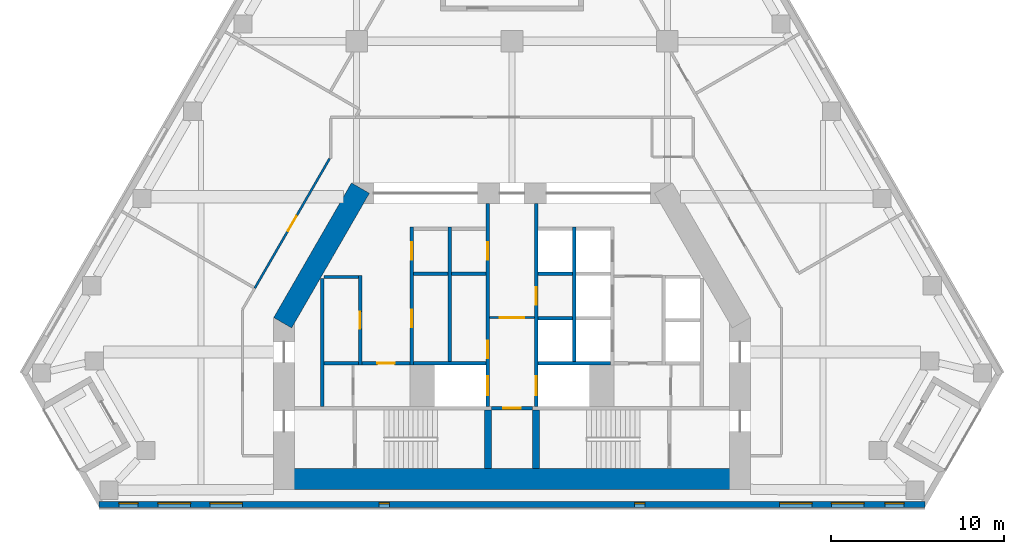
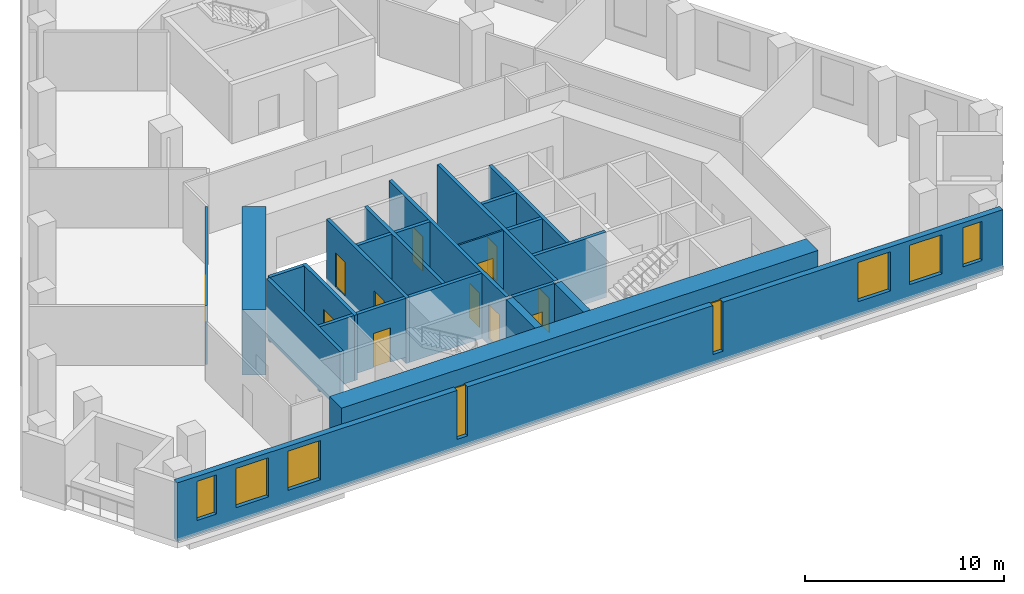
# One storey, part 3 of 7: 24 walls, 12 doors, 8 windows, 20 openings.
"""IFC4 building model written with IfcOpenShell, lengths in metres."""

import ifcopenshell
import ifcopenshell.guid

model = None  # the IFC model being written
_history = None  # IfcOwnerHistory: only IFC2X3 demands one
_inside = {}  # id of a spatial element -> (the spatial element, [elements in it])
_under = {}  # id of a project, library or spatial element -> (it, [spatial elements below it])
_declared = {}  # id of a project -> (the project, [libraries it declares])
_typed = {}  # id of a type object -> (the type object, [elements of that type])
_made_of = {}  # id of a material, layer set ... -> (it, [elements and type objects made of it])


def new_model(schema):
    """Start an empty IFC model of exactly this schema.

    Asked for "IFC4X3", IfcOpenShell would pick the latest addendum, in which some entities
    have other attributes; the version numbers below select the first issue.
    IFC2X3 requires an IfcOwnerHistory on every rooted entity: one is made here for all.
    """
    global model, _history
    if schema == "IFC4X3":
        model = ifcopenshell.file(schema_version=(4, 3, 0, 0))
    else:
        model = ifcopenshell.file(schema=schema)
    _inside.clear()
    _under.clear()
    _declared.clear()
    _typed.clear()
    _made_of.clear()
    _history = None
    if model.schema == "IFC2X3":
        org = make("IfcOrganization", Name="unknown")
        user = make(
            "IfcPersonAndOrganization",
            ThePerson=make("IfcPerson", FamilyName="unknown"),
            TheOrganization=org,
        )
        app = make(
            "IfcApplication",
            ApplicationDeveloper=org,
            Version="unknown",
            ApplicationFullName="unknown",
            ApplicationIdentifier="unknown",
        )
        _history = make(
            "IfcOwnerHistory",
            OwningUser=user,
            OwningApplication=app,
            ChangeAction="ADDED",
            CreationDate=0,
        )
    return model


def make(cls, **values):
    """One entity of the class cls with the attributes given. An attribute that is None is left unset."""
    return model.create_entity(
        cls, **{name: value for name, value in values.items() if value is not None}
    )


def rooted(cls, **values):
    """An entity with a GlobalId (a new one), such as an element, a storey or a relation."""
    return make(cls, GlobalId=ifcopenshell.guid.new(), OwnerHistory=_history, **values)


def si_unit(unit_type, name, prefix=None):
    """IfcSIUnit, for example si_unit("LENGTHUNIT", "METRE", prefix="MILLI")."""
    return make("IfcSIUnit", UnitType=unit_type, Prefix=prefix, Name=name)


def assignment(units):
    """IfcUnitAssignment: the units of a project."""
    return None if units is None else make("IfcUnitAssignment", Units=units)


def point(xyz):
    """IfcCartesianPoint."""
    return None if xyz is None else make("IfcCartesianPoint", Coordinates=xyz)


def direction(xyz):
    """IfcDirection."""
    return None if xyz is None else make("IfcDirection", DirectionRatios=xyz)


def frame(location, z_axis=None, x_axis=None):
    """IfcAxis2Placement3D, a coordinate frame: its origin and axes. An axis left out is left unset."""
    return make(
        "IfcAxis2Placement3D",
        Location=point(location),
        Axis=direction(z_axis),
        RefDirection=direction(x_axis),
    )


def frame_2d(location, x_axis=None):
    """IfcAxis2Placement2D, a coordinate frame in the plane: its origin and x axis."""
    return make(
        "IfcAxis2Placement2D", Location=point(location), RefDirection=direction(x_axis)
    )


def origin():
    """The frame at (0, 0, 0) with its axes left unset."""
    return frame((0.0, 0.0, 0.0))


def place(relative_to, where):
    """IfcLocalPlacement: puts the frame where relative to a parent placement (None: the world)."""
    return make(
        "IfcLocalPlacement", PlacementRelTo=relative_to, RelativePlacement=where
    )


def context(
    kind, dimensions, precision=None, world=None, true_north=None, identifier=None
):
    """IfcGeometricRepresentationContext, for example the 3D "Model" context."""
    return make(
        "IfcGeometricRepresentationContext",
        ContextIdentifier=identifier,
        ContextType=kind,
        CoordinateSpaceDimension=dimensions,
        Precision=precision,
        WorldCoordinateSystem=world,
        TrueNorth=true_north,
    )


def subcontext(parent, identifier, kind, view, scale=None):
    """IfcGeometricRepresentationSubContext, for example "Body" below "Model"."""
    return make(
        "IfcGeometricRepresentationSubContext",
        ContextIdentifier=identifier,
        ContextType=kind,
        ParentContext=parent,
        TargetScale=scale,
        TargetView=view,
    )


def project(units=None, contexts=None):
    """IfcProject with its units and contexts."""
    return rooted(
        "IfcProject",
        Name="project",
        RepresentationContexts=contexts,
        UnitsInContext=assignment(units),
    )


def spatial(cls, under=None, at=None, **own):
    """A site, building, storey or space (cls), placed at a placement, below another one or the project."""
    s = rooted(cls, ObjectPlacement=at, **own)
    if under is not None:
        _under.setdefault(under.id(), (under, []))[1].append(s)
    return s


def profile(cls, at=None, kind="AREA", **sizes):
    """A parametric profile (cls). Its sizes go by their IFC names, for example OverallWidth=200.0."""
    return make(cls, ProfileType=kind, Position=at, **sizes)


def rectangle(**sizes):
    """IfcRectangleProfileDef."""
    return profile("IfcRectangleProfileDef", **sizes)


def extrude(swept, where, along, depth):
    """IfcExtrudedAreaSolid: the profile swept, set in the frame where, extruded along a direction by depth."""
    return make(
        "IfcExtrudedAreaSolid",
        SweptArea=swept,
        Position=where,
        ExtrudedDirection=direction(along),
        Depth=depth,
    )


def shape(context_of_items, identifier, shape_type, items):
    """IfcShapeRepresentation: the items that make up one representation, for example the "Body"."""
    return make(
        "IfcShapeRepresentation",
        ContextOfItems=context_of_items,
        RepresentationIdentifier=identifier,
        RepresentationType=shape_type,
        Items=items,
    )


def material(Name=None, Category=None):
    """IfcMaterial."""
    return make("IfcMaterial", Name=Name, Category=Category)


def layer(
    of_material, thickness, ventilated=None, Name=None, Category=None, Priority=None
):
    """IfcMaterialLayer: one layer of a wall or slab, of a material (None: an air gap)."""
    return make(
        "IfcMaterialLayer",
        Material=of_material,
        LayerThickness=thickness,
        IsVentilated=ventilated,
        Name=Name,
        Category=Category,
        Priority=Priority,
    )


def layer_set(layers, Name=None):
    """IfcMaterialLayerSet."""
    return make("IfcMaterialLayerSet", MaterialLayers=layers, LayerSetName=Name)


def made_of(thing, what):
    """Note that an element or type object is made of a material, layer set ...; save() writes the relation."""
    if what is not None:
        _made_of.setdefault(what.id(), (what, []))[1].append(thing)
    return thing


def type_object(cls, material=None, **own):
    """A type object (cls), such as IfcWallType, which elements share."""
    return made_of(rooted(cls, **own), material)


def element(
    cls,
    number,
    at=None,
    inside=None,
    cuts=None,
    type_object=None,
    material=None,
    context=None,
    identifier="Body",
    shape_type=None,
    held_by="IfcProductDefinitionShape",
    body=None,
    shapes=None,
    **own,
):
    """One element of the class cls, such as IfcWall. Its Tag is "e" and its number.

    at: its placement. inside: the storey or other place that contains it. cuts: it is an
    opening in that element (IfcRelVoidsElement). A single representation is given by context,
    identifier, shape_type and body (its items); several are given by shapes. held_by: the class
    of the entity that holds the representations. save() writes the other relations.
    """
    e = rooted(cls, Tag="e%d" % number, ObjectPlacement=at, **own)
    if body is not None:
        shapes = [shape(context, identifier, shape_type, body)]
    if shapes is not None:
        e.Representation = make(held_by, Representations=shapes)
    if inside is not None:
        _inside.setdefault(inside.id(), (inside, []))[1].append(e)
    if cuts is not None:
        rooted(
            "IfcRelVoidsElement", RelatingBuildingElement=cuts, RelatedOpeningElement=e
        )
    if type_object is not None:
        _typed.setdefault(type_object.id(), (type_object, []))[1].append(e)
    return made_of(e, material)


def fill(opening, filler):
    """IfcRelFillsElement: the door or window that sits in an opening."""
    return rooted(
        "IfcRelFillsElement",
        RelatingOpeningElement=opening,
        RelatedBuildingElement=filler,
    )


def aggregate(whole, parts):
    """IfcRelAggregates: a whole, such as a stair, and the parts it consists of."""
    return rooted("IfcRelAggregates", RelatingObject=whole, RelatedObjects=parts)


def save(model, path):
    """Write the relations noted so far, then the file.

    IfcRelAggregates (storeys below a building ...), IfcRelContainedInSpatialStructure (elements
    in a storey), IfcRelDefinesByType, IfcRelAssociatesMaterial and IfcRelDeclares: one each for
    every whole, place, type object, material and project.
    """
    for whole, parts in _under.values():
        aggregate(whole, parts)
    for where, things in _inside.values():
        rooted(
            "IfcRelContainedInSpatialStructure",
            RelatedElements=things,
            RelatingStructure=where,
        )
    for kind, things in _typed.values():
        rooted("IfcRelDefinesByType", RelatedObjects=things, RelatingType=kind)
    for what, things in _made_of.values():
        rooted("IfcRelAssociatesMaterial", RelatedObjects=things, RelatingMaterial=what)
    for by, libraries in _declared.values():
        rooted("IfcRelDeclares", RelatingContext=by, RelatedDefinitions=libraries)
    model.write(path)


model = new_model("IFC4")

# Units and contexts
model_context = context("Model", 3, precision=1e-05, world=origin(), true_north=direction((0.0, 1.0)))
body_context = subcontext(model_context, "Body", "Model", "MODEL_VIEW")
ifc_project = project(units=[si_unit("LENGTHUNIT", "METRE"), si_unit("AREAUNIT", "SQUARE_METRE"), si_unit("VOLUMEUNIT", "CUBIC_METRE"), si_unit("PLANEANGLEUNIT", "RADIAN"), si_unit("MASSUNIT", "GRAM", prefix="KILO")], contexts=[model_context])

# Site, building, storey
site_placement = place(None, origin())
site = spatial("IfcSite", under=ifc_project, at=site_placement, CompositionType="ELEMENT")
building_placement = place(site_placement, origin())
building = spatial("IfcBuilding", under=site, at=building_placement, Name="Fogline Exchange Tower", CompositionType="ELEMENT")
storey_placement = place(building_placement, frame((0.0, 0.0, 166.89990234375)))
storey = spatial("IfcBuildingStorey", under=building, at=storey_placement, Name="L37", CompositionType="ELEMENT", Elevation=166.89990234375)

# Wall, opening, door
ifc_material_1 = material(Name="Blockwork partition", Category="masonry")
ifc_layer_1 = layer(ifc_material_1, 0.10009765625)
ifc_layer_set_1 = layer_set([ifc_layer_1], Name="CW10")
wall_type_1 = type_object("IfcWallType", Name="CW10", PredefinedType="PARTITIONING", material=ifc_layer_set_1)
wall_1_placement = place(storey_placement, frame((-1.300048828125, 11.0, 0.0), z_axis=(0.0, 0.0, 1.0), x_axis=(1.0, 0.0, 0.0)))
wall_1 = element("IfcWall", 1, at=wall_1_placement, inside=storey, type_object=wall_type_1, Name="Lift lobby partition", PredefinedType="PARTITIONING", context=body_context, shape_type="SweptSolid", body=[
    extrude(rectangle(XDim=2.60009765625, YDim=0.10009765625, at=frame_2d((1.300048828125, 0.0))), origin(), (0.0, 0.0, 1.0), 3.60009765625),
])
opening_1_placement = place(wall_1_placement, frame((0.60009765625, 0.0, 0.0)))
opening_1 = element("IfcOpeningElement", 2, at=opening_1_placement, cuts=wall_1, Name="Opening T12-C019", PredefinedType="OPENING", context=body_context, shape_type="SweptSolid", body=[
    extrude(rectangle(XDim=1.39990234375, YDim=2.10009765625, at=frame_2d((0.699951171875, 1.050048828125))), frame((0.0, 0.06005859375, 0.0), z_axis=(0.0, -1.0, 0.0), x_axis=(1.0, 0.0, 0.0)), (0.0, 0.0, 1.0), 0.1201171875),
])
ifc_material_2 = material(Name="Steel and timber fire door", Category="steel")
door_type_1 = type_object("IfcDoorType", Name="D-LB1", OperationType="DOUBLE_DOOR_SINGLE_SWING", PredefinedType="DOOR", material=ifc_material_2)
door_1_placement = place(opening_1_placement, frame((1.39990234375, 0.0, 0.0), z_axis=(0.0, 0.0, 1.0), x_axis=(-1.0, 0.0, 0.0)))
door_1 = element("IfcDoor", 3, at=door_1_placement, inside=storey, type_object=door_type_1, Name="Door to firefighting lift lobby", OperationType="DOUBLE_DOOR_SINGLE_SWING", OverallHeight=2.10009765625, OverallWidth=1.39990234375, PredefinedType="DOOR", context=body_context, shape_type="SweptSolid", body=[
    extrude(rectangle(XDim=1.39990234375, YDim=2.10009765625, at=frame_2d((0.699951171875, 1.050048828125))), frame((0.0, 0.02490234375, 0.0), z_axis=(0.0, -1.0, 0.0), x_axis=(1.0, 0.0, 0.0)), (0.0, 0.0, 1.0), 0.050048828125),
])
fill(opening_1, door_1)

# Walls
ifc_material_3 = material(Name="Concrete C40", Category="concrete")
ifc_layer_2 = layer(ifc_material_3, 0.199951171875)
ifc_layer_set_2 = layer_set([ifc_layer_2], Name="CW20")
wall_type_2 = type_object("IfcWallType", Name="CW20", PredefinedType="SOLIDWALL", material=ifc_layer_set_2)
wall_2_placement = place(storey_placement, frame((-11.0, 5.85009765625, 0.0), z_axis=(0.0, 0.0, 1.0), x_axis=(0.0, 1.0, 0.0)))
element("IfcWall", 4, at=wall_2_placement, inside=storey, type_object=wall_type_2, Name="Service room wall", PredefinedType="SOLIDWALL", context=body_context, shape_type="SweptSolid", body=[
    extrude(rectangle(XDim=7.39990234375, YDim=0.199951171875, at=frame_2d((3.699951171875, 0.0))), origin(), (0.0, 0.0, 1.0), 3.60009765625),
])
for number, where, z_axis, x_axis, name in (
    (5, (-5.699951171875, 13.550048828125, 0.0), (0.0, 0.0, 1.0), (1.0, 0.0, 0.0), "Service room wall"),
    (6, (-3.5, 13.550048828125, 0.0), (0.0, 0.0, 1.0), (1.0, 0.0, 0.0), "Service room wall"),
):
    element("IfcWall", number, at=place(storey_placement, frame(where, z_axis=z_axis, x_axis=x_axis)), inside=storey, type_object=wall_type_2, Name=name, PredefinedType="SOLIDWALL", context=body_context, shape_type="SweptSolid", body=[
        extrude(rectangle(XDim=2.0, YDim=0.199951171875, at=frame_2d((1.0, 0.0))), origin(), (0.0, 0.0, 1.0), 3.60009765625),
    ])

# Wall, opening, door
wall_3_placement = place(storey_placement, frame((-8.699951171875, 8.35009765625, 0.0), z_axis=(0.0, 0.0, 1.0), x_axis=(1.0, 0.0, 0.0)))
wall_3 = element("IfcWall", 7, at=wall_3_placement, inside=storey, type_object=wall_type_2, Name="WC wall", PredefinedType="SOLIDWALL", context=body_context, shape_type="SweptSolid", body=[
    extrude(rectangle(XDim=2.800048828125, YDim=0.199951171875, at=frame_2d((1.39990234375, 0.0))), origin(), (0.0, 0.0, 1.0), 3.60009765625),
])
opening_2_placement = place(wall_3_placement, frame((0.89990234375, 0.0, 0.0)))
opening_2 = element("IfcOpeningElement", 8, at=opening_2_placement, cuts=wall_3, Name="Opening T12-C008", PredefinedType="OPENING", context=body_context, shape_type="SweptSolid", body=[
    extrude(rectangle(XDim=1.0, YDim=2.10009765625, at=frame_2d((0.5, 1.050048828125))), frame((0.0, 0.10986328125, 0.0), z_axis=(0.0, -1.0, 0.0), x_axis=(1.0, 0.0, 0.0)), (0.0, 0.0, 1.0), 0.219970703125),
])
door_type_2 = type_object("IfcDoorType", Name="D-WC1", OperationType="SINGLE_SWING_LEFT", PredefinedType="DOOR", material=ifc_material_2)
door_2_placement = place(opening_2_placement, frame((1.0, 0.0, 0.0), z_axis=(0.0, 0.0, 1.0), x_axis=(-1.0, 0.0, 0.0)))
door_2 = element("IfcDoor", 9, at=door_2_placement, inside=storey, type_object=door_type_2, Name="Door to Men's WC", OperationType="SINGLE_SWING_LEFT", OverallHeight=2.10009765625, OverallWidth=1.0, PredefinedType="DOOR", context=body_context, shape_type="SweptSolid", body=[
    extrude(rectangle(XDim=1.0, YDim=2.10009765625, at=frame_2d((0.5, 1.050048828125))), frame((0.0, 0.02490234375, 0.0), z_axis=(0.0, -1.0, 0.0), x_axis=(1.0, 0.0, 0.0)), (0.0, 0.0, 1.0), 0.050048828125),
])
fill(opening_2, door_2)

ifc_layer_3 = layer(ifc_material_3, 0.199951171875)
ifc_layer_set_3 = layer_set([ifc_layer_3], Name="CW20R")
wall_type_3 = type_object("IfcWallType", Name="CW20R", PredefinedType="SOLIDWALL", material=ifc_layer_set_3)
wall_4_placement = place(storey_placement, frame((-1.199951171875, 5.75, -0.39990234375), z_axis=(0.0, 0.0, 1.0), x_axis=(1.0, 0.0, 0.0)))
wall_4 = element("IfcWall", 10, at=wall_4_placement, inside=storey, type_object=wall_type_3, Name="Stair enclosure wall", PredefinedType="SOLIDWALL", context=body_context, shape_type="SweptSolid", body=[
    extrude(rectangle(XDim=2.39990234375, YDim=0.199951171875, at=frame_2d((1.199951171875, 0.0))), origin(), (0.0, 0.0, 1.0), 4.0),
])
opening_3_placement = place(wall_4_placement, frame((0.699951171875, 0.0, 0.39990234375)))
opening_3 = element("IfcOpeningElement", 11, at=opening_3_placement, cuts=wall_4, Name="Opening T12-C007", PredefinedType="OPENING", context=body_context, shape_type="SweptSolid", body=[
    extrude(rectangle(XDim=1.0, YDim=2.10009765625, at=frame_2d((0.5, 1.050048828125))), frame((0.0, 0.10986328125, 0.0), z_axis=(0.0, -1.0, 0.0), x_axis=(1.0, 0.0, 0.0)), (0.0, 0.0, 1.0), 0.219970703125),
])
door_type_3 = type_object("IfcDoorType", Name="D-RM1", OperationType="SINGLE_SWING_LEFT", PredefinedType="DOOR", material=ifc_material_2)
door_3_placement = place(opening_3_placement, frame((1.0, 0.0, 0.0), z_axis=(0.0, 0.0, 1.0), x_axis=(-1.0, 0.0, 0.0)))
door_3 = element("IfcDoor", 12, at=door_3_placement, inside=storey, type_object=door_type_3, Name="Door to Stationery Store", OperationType="SINGLE_SWING_RIGHT", OverallHeight=2.10009765625, OverallWidth=1.0, PredefinedType="DOOR", context=body_context, shape_type="SweptSolid", body=[
    extrude(rectangle(XDim=1.0, YDim=2.10009765625, at=frame_2d((0.5, 1.050048828125))), frame((0.0, 0.02490234375, 0.0), z_axis=(0.0, -1.0, 0.0), x_axis=(1.0, 0.0, 0.0)), (0.0, 0.0, 1.0), 0.050048828125),
])
fill(opening_3, door_3)

ifc_layer_4 = layer(ifc_material_3, 0.199951171875)
ifc_layer_set_4 = layer_set([ifc_layer_4], Name="CW20S")
wall_type_4 = type_object("IfcWallType", Name="CW20S", PredefinedType="SOLIDWALL", material=ifc_layer_set_4)
wall_5_placement = place(storey_placement, frame((-8.800048828125, 8.25, -0.39990234375), z_axis=(0.0, 0.0, 1.0), x_axis=(0.0, 1.0, 0.0)))
wall_5 = element("IfcWall", 13, at=wall_5_placement, inside=storey, type_object=wall_type_4, Name="Lift shaft wall", PredefinedType="SOLIDWALL", context=body_context, shape_type="SweptSolid", body=[
    extrude(rectangle(XDim=5.199951171875, YDim=0.199951171875, at=frame_2d((2.60009765625, 0.0))), origin(), (0.0, 0.0, 1.0), 4.0),
])
opening_4_placement = place(wall_5_placement, frame((2.10009765625, 0.0, 0.39990234375)))
opening_4 = element("IfcOpeningElement", 14, at=opening_4_placement, cuts=wall_5, Name="Opening T12-C001", PredefinedType="OPENING", context=body_context, shape_type="SweptSolid", body=[
    extrude(rectangle(XDim=1.0, YDim=2.10009765625, at=frame_2d((0.5, 1.050048828125))), frame((0.0, 0.10986328125, 0.0), z_axis=(0.0, -1.0, 0.0), x_axis=(1.0, 0.0, 0.0)), (0.0, 0.0, 1.0), 0.219970703125),
])
door_4_placement = place(opening_4_placement, origin())
door_4 = element("IfcDoor", 15, at=door_4_placement, inside=storey, type_object=door_type_3, Name="Door to Archive Room", OperationType="SINGLE_SWING_RIGHT", OverallHeight=2.10009765625, OverallWidth=1.0, PredefinedType="DOOR", context=body_context, shape_type="SweptSolid", body=[
    extrude(rectangle(XDim=1.0, YDim=2.10009765625, at=frame_2d((0.5, 1.050048828125))), frame((0.0, 0.02490234375, 0.0), z_axis=(0.0, -1.0, 0.0), x_axis=(1.0, 0.0, 0.0)), (0.0, 0.0, 1.0), 0.050048828125),
])
fill(opening_4, door_4)

# Wall, openings, doors
wall_6_placement = place(storey_placement, frame((-5.800048828125, 8.25, -0.39990234375), z_axis=(0.0, 0.0, 1.0), x_axis=(0.0, 1.0, 0.0)))
wall_6 = element("IfcWall", 16, at=wall_6_placement, inside=storey, type_object=wall_type_4, Name="Lift shaft wall", PredefinedType="SOLIDWALL", context=body_context, shape_type="SweptSolid", body=[
    extrude(rectangle(XDim=8.0, YDim=0.199951171875, at=frame_2d((4.0, 0.0))), origin(), (0.0, 0.0, 1.0), 4.0),
])
opening_5_placement = place(wall_6_placement, frame((2.199951171875, 0.0, 0.39990234375)))
opening_5 = element("IfcOpeningElement", 17, at=opening_5_placement, cuts=wall_6, Name="Opening T12-C002", PredefinedType="OPENING", context=body_context, shape_type="SweptSolid", body=[
    extrude(rectangle(XDim=1.0, YDim=2.10009765625, at=frame_2d((0.5, 1.050048828125))), frame((0.0, 0.10986328125, 0.0), z_axis=(0.0, -1.0, 0.0), x_axis=(1.0, 0.0, 0.0)), (0.0, 0.0, 1.0), 0.219970703125),
])
opening_6_placement = place(wall_6_placement, frame((6.10009765625, 0.0, 0.39990234375)))
opening_6 = element("IfcOpeningElement", 18, at=opening_6_placement, cuts=wall_6, Name="Opening T12-C003", PredefinedType="OPENING", context=body_context, shape_type="SweptSolid", body=[
    extrude(rectangle(XDim=1.0, YDim=2.10009765625, at=frame_2d((0.5, 1.050048828125))), frame((0.0, 0.10986328125, 0.0), z_axis=(0.0, -1.0, 0.0), x_axis=(1.0, 0.0, 0.0)), (0.0, 0.0, 1.0), 0.219970703125),
])
door_5_placement = place(opening_5_placement, frame((1.0, 0.0, 0.0), z_axis=(0.0, 0.0, 1.0), x_axis=(-1.0, 0.0, 0.0)))
door_5 = element("IfcDoor", 19, at=door_5_placement, inside=storey, type_object=door_type_3, Name="Door to Equipment Room", OperationType="SINGLE_SWING_LEFT", OverallHeight=2.10009765625, OverallWidth=1.0, PredefinedType="DOOR", context=body_context, shape_type="SweptSolid", body=[
    extrude(rectangle(XDim=1.0, YDim=2.10009765625, at=frame_2d((0.5, 1.050048828125))), frame((0.0, 0.02490234375, 0.0), z_axis=(0.0, -1.0, 0.0), x_axis=(1.0, 0.0, 0.0)), (0.0, 0.0, 1.0), 0.050048828125),
])
fill(opening_5, door_5)
door_6_placement = place(opening_6_placement, frame((1.0, 0.0, 0.0), z_axis=(0.0, 0.0, 1.0), x_axis=(-1.0, 0.0, 0.0)))
door_6 = element("IfcDoor", 20, at=door_6_placement, inside=storey, type_object=door_type_3, Name="Door to Server Room", OperationType="SINGLE_SWING_RIGHT", OverallHeight=2.10009765625, OverallWidth=1.0, PredefinedType="DOOR", context=body_context, shape_type="SweptSolid", body=[
    extrude(rectangle(XDim=1.0, YDim=2.10009765625, at=frame_2d((0.5, 1.050048828125))), frame((0.0, 0.02490234375, 0.0), z_axis=(0.0, -1.0, 0.0), x_axis=(1.0, 0.0, 0.0)), (0.0, 0.0, 1.0), 0.050048828125),
])
fill(opening_6, door_6)

# Walls
for number, where, z_axis, x_axis, name in (
    (21, (-3.60009765625, 8.449951171875, -0.39990234375), (0.0, 0.0, 1.0), (0.0, 1.0, 0.0), "Lift shaft wall"),
    (22, (3.60009765625, 8.449951171875, -0.39990234375), (0.0, 0.0, 1.0), (0.0, 1.0, 0.0), "Lift shaft wall"),
):
    element("IfcWall", number, at=place(storey_placement, frame(where, z_axis=z_axis, x_axis=x_axis)), inside=storey, type_object=wall_type_4, Name=name, PredefinedType="SOLIDWALL", context=body_context, shape_type="SweptSolid", body=[
        extrude(rectangle(XDim=7.800048828125, YDim=0.199951171875, at=frame_2d((3.89990234375, 0.0))), origin(), (0.0, 0.0, 1.0), 4.0),
    ])

# Wall, openings, doors
wall_7_placement = place(storey_placement, frame((-1.39990234375, 5.85009765625, -0.39990234375), z_axis=(0.0, 0.0, 1.0), x_axis=(0.0, 1.0, 0.0)))
wall_7 = element("IfcWall", 23, at=wall_7_placement, inside=storey, type_object=wall_type_4, Name="Lift lobby wall", PredefinedType="SOLIDWALL", context=body_context, shape_type="SweptSolid", body=[
    extrude(rectangle(XDim=11.75, YDim=0.199951171875, at=frame_2d((5.875, 0.0))), origin(), (0.0, 0.0, 1.0), 4.0),
])
opening_7_placement = place(wall_7_placement, frame((0.64990234375, 0.0, 0.39990234375)))
opening_7 = element("IfcOpeningElement", 24, at=opening_7_placement, cuts=wall_7, Name="Opening T12-LD01", PredefinedType="OPENING", context=body_context, shape_type="SweptSolid", body=[
    extrude(rectangle(XDim=1.10009765625, YDim=2.10009765625, at=frame_2d((0.550048828125, 1.050048828125))), frame((0.0, 0.10986328125, 0.0), z_axis=(0.0, -1.0, 0.0), x_axis=(1.0, 0.0, 0.0)), (0.0, 0.0, 1.0), 0.219970703125),
])
opening_8_placement = place(wall_7_placement, frame((2.800048828125, 0.0, 0.39990234375)))
opening_8 = element("IfcOpeningElement", 25, at=opening_8_placement, cuts=wall_7, Name="Opening T12-C004", PredefinedType="OPENING", context=body_context, shape_type="SweptSolid", body=[
    extrude(rectangle(XDim=1.0, YDim=2.10009765625, at=frame_2d((0.5, 1.050048828125))), frame((0.0, 0.10986328125, 0.0), z_axis=(0.0, -1.0, 0.0), x_axis=(1.0, 0.0, 0.0)), (0.0, 0.0, 1.0), 0.219970703125),
])
opening_9_placement = place(wall_7_placement, frame((8.5, 0.0, 0.39990234375)))
opening_9 = element("IfcOpeningElement", 26, at=opening_9_placement, cuts=wall_7, Name="Opening T12-C005", PredefinedType="OPENING", context=body_context, shape_type="SweptSolid", body=[
    extrude(rectangle(XDim=1.0, YDim=2.10009765625, at=frame_2d((0.5, 1.050048828125))), frame((0.0, 0.10986328125, 0.0), z_axis=(0.0, -1.0, 0.0), x_axis=(1.0, 0.0, 0.0)), (0.0, 0.0, 1.0), 0.219970703125),
])
door_7_placement = place(opening_8_placement, origin())
door_7 = element("IfcDoor", 27, at=door_7_placement, inside=storey, type_object=door_type_3, Name="Door to Library Store", OperationType="SINGLE_SWING_LEFT", OverallHeight=2.10009765625, OverallWidth=1.0, PredefinedType="DOOR", context=body_context, shape_type="SweptSolid", body=[
    extrude(rectangle(XDim=1.0, YDim=2.10009765625, at=frame_2d((0.5, 1.050048828125))), frame((0.0, 0.02490234375, 0.0), z_axis=(0.0, -1.0, 0.0), x_axis=(1.0, 0.0, 0.0)), (0.0, 0.0, 1.0), 0.050048828125),
])
fill(opening_8, door_7)
door_8_placement = place(opening_9_placement, origin())
door_8 = element("IfcDoor", 28, at=door_8_placement, inside=storey, type_object=door_type_3, Name="Door to Library Store", OperationType="SINGLE_SWING_LEFT", OverallHeight=2.10009765625, OverallWidth=1.0, PredefinedType="DOOR", context=body_context, shape_type="SweptSolid", body=[
    extrude(rectangle(XDim=1.0, YDim=2.10009765625, at=frame_2d((0.5, 1.050048828125))), frame((0.0, 0.02490234375, 0.0), z_axis=(0.0, -1.0, 0.0), x_axis=(1.0, 0.0, 0.0)), (0.0, 0.0, 1.0), 0.050048828125),
])
fill(opening_9, door_8)
door_type_4 = type_object("IfcDoorType", Name="LD2", OperationType="SLIDING_TO_RIGHT", PredefinedType="DOOR", material=ifc_material_2)
door_9_placement = place(opening_7_placement, origin())
door_9 = element("IfcDoor", 29, at=door_9_placement, inside=storey, type_object=door_type_4, Name="Landing door FF1", OperationType="SLIDING_TO_RIGHT", OverallHeight=2.10009765625, OverallWidth=1.10009765625, PredefinedType="DOOR", context=body_context, shape_type="SweptSolid", body=[
    extrude(rectangle(XDim=1.10009765625, YDim=2.10009765625, at=frame_2d((0.550048828125, 1.050048828125))), frame((0.0, 0.02490234375, 0.0), z_axis=(0.0, -1.0, 0.0), x_axis=(1.0, 0.0, 0.0)), (0.0, 0.0, 1.0), 0.050048828125),
])
fill(opening_7, door_9)

wall_8_placement = place(storey_placement, frame((1.39990234375, 5.85009765625, -0.39990234375), z_axis=(0.0, 0.0, 1.0), x_axis=(0.0, 1.0, 0.0)))
wall_8 = element("IfcWall", 30, at=wall_8_placement, inside=storey, type_object=wall_type_4, Name="Lift lobby wall", PredefinedType="SOLIDWALL", context=body_context, shape_type="SweptSolid", body=[
    extrude(rectangle(XDim=11.75, YDim=0.199951171875, at=frame_2d((5.875, 0.0))), origin(), (0.0, 0.0, 1.0), 4.0),
])
opening_10_placement = place(wall_8_placement, frame((0.64990234375, 0.0, 0.39990234375)))
opening_10 = element("IfcOpeningElement", 31, at=opening_10_placement, cuts=wall_8, Name="Opening T12-LD05", PredefinedType="OPENING", context=body_context, shape_type="SweptSolid", body=[
    extrude(rectangle(XDim=1.10009765625, YDim=2.10009765625, at=frame_2d((0.550048828125, 1.050048828125))), frame((0.0, 0.10986328125, 0.0), z_axis=(0.0, -1.0, 0.0), x_axis=(1.0, 0.0, 0.0)), (0.0, 0.0, 1.0), 0.219970703125),
])
opening_11_placement = place(wall_8_placement, frame((5.89990234375, 0.0, 0.39990234375)))
opening_11 = element("IfcOpeningElement", 32, at=opening_11_placement, cuts=wall_8, Name="Opening T12-C006", PredefinedType="OPENING", context=body_context, shape_type="SweptSolid", body=[
    extrude(rectangle(XDim=1.0, YDim=2.10009765625, at=frame_2d((0.5, 1.050048828125))), frame((0.0, 0.10986328125, 0.0), z_axis=(0.0, -1.0, 0.0), x_axis=(1.0, 0.0, 0.0)), (0.0, 0.0, 1.0), 0.219970703125),
])
door_10_placement = place(opening_11_placement, frame((1.0, 0.0, 0.0), z_axis=(0.0, 0.0, 1.0), x_axis=(-1.0, 0.0, 0.0)))
door_10 = element("IfcDoor", 33, at=door_10_placement, inside=storey, type_object=door_type_3, Name="Door to Plant Room", OperationType="SINGLE_SWING_RIGHT", OverallHeight=2.10009765625, OverallWidth=1.0, PredefinedType="DOOR", context=body_context, shape_type="SweptSolid", body=[
    extrude(rectangle(XDim=1.0, YDim=2.10009765625, at=frame_2d((0.5, 1.050048828125))), frame((0.0, 0.02490234375, 0.0), z_axis=(0.0, -1.0, 0.0), x_axis=(1.0, 0.0, 0.0)), (0.0, 0.0, 1.0), 0.050048828125),
])
fill(opening_11, door_10)
door_11_placement = place(opening_10_placement, origin())
door_11 = element("IfcDoor", 34, at=door_11_placement, inside=storey, type_object=door_type_4, Name="Landing door FF2", OperationType="SLIDING_TO_RIGHT", OverallHeight=2.10009765625, OverallWidth=1.10009765625, PredefinedType="DOOR", context=body_context, shape_type="SweptSolid", body=[
    extrude(rectangle(XDim=1.10009765625, YDim=2.10009765625, at=frame_2d((0.550048828125, 1.050048828125))), frame((0.0, 0.02490234375, 0.0), z_axis=(0.0, -1.0, 0.0), x_axis=(1.0, 0.0, 0.0)), (0.0, 0.0, 1.0), 0.050048828125),
])
fill(opening_10, door_11)

# Walls
wall_9_placement = place(storey_placement, frame((-10.89990234375, 8.35009765625, -0.39990234375), z_axis=(0.0, 0.0, 1.0), x_axis=(1.0, 0.0, 0.0)))
element("IfcWall", 35, at=wall_9_placement, inside=storey, type_object=wall_type_4, Name="Lift shaft wall", PredefinedType="SOLIDWALL", context=body_context, shape_type="SweptSolid", body=[
    extrude(rectangle(XDim=2.0, YDim=0.199951171875, at=frame_2d((1.0, 0.0))), origin(), (0.0, 0.0, 1.0), 4.0),
])
for number, where, z_axis, x_axis, name in (
    (36, (-5.699951171875, 8.35009765625, -0.39990234375), (0.0, 0.0, 1.0), (1.0, 0.0, 0.0), "Lift shaft wall"),
    (37, (1.5, 8.35009765625, -0.39990234375), (0.0, 0.0, 1.0), (1.0, 0.0, 0.0), "Lift shaft wall"),
):
    element("IfcWall", number, at=place(storey_placement, frame(where, z_axis=z_axis, x_axis=x_axis)), inside=storey, type_object=wall_type_4, Name=name, PredefinedType="SOLIDWALL", context=body_context, shape_type="SweptSolid", body=[
        extrude(rectangle(XDim=4.199951171875, YDim=0.199951171875, at=frame_2d((2.10009765625, 0.0))), origin(), (0.0, 0.0, 1.0), 4.0),
    ])
for number, where, z_axis, x_axis, name in (
    (38, (-10.89990234375, 13.35009765625, -0.39990234375), (0.0, 0.0, 1.0), (1.0, 0.0, 0.0), "Lift shaft wall"),
    (39, (1.5, 10.949951171875, -0.39990234375), (0.0, 0.0, 1.0), (1.0, 0.0, 0.0), "Lift shaft wall"),
    (40, (1.5, 13.550048828125, -0.39990234375), (0.0, 0.0, 1.0), (1.0, 0.0, 0.0), "Lift shaft wall"),
):
    element("IfcWall", number, at=place(storey_placement, frame(where, z_axis=z_axis, x_axis=x_axis)), inside=storey, type_object=wall_type_4, Name=name, PredefinedType="SOLIDWALL", context=body_context, shape_type="SweptSolid", body=[
        extrude(rectangle(XDim=2.0, YDim=0.199951171875, at=frame_2d((1.0, 0.0))), origin(), (0.0, 0.0, 1.0), 4.0),
    ])
ifc_layer_5 = layer(ifc_material_3, 0.39990234375)
ifc_layer_set_5 = layer_set([ifc_layer_5], Name="CW40R")
wall_type_5 = type_object("IfcWallType", Name="CW40R", PredefinedType="SOLIDWALL", material=ifc_layer_set_5)
for number, where, z_axis, x_axis, name in (
    (41, (-1.39990234375, 2.25, -0.39990234375), (0.0, 0.0, 1.0), (0.0, 1.0, 0.0), "Stair and lift shaft wall"),
    (42, (1.39990234375, 2.25, -0.39990234375), (0.0, 0.0, 1.0), (0.0, 1.0, 0.0), "Stair and lift shaft wall"),
):
    element("IfcWall", number, at=place(storey_placement, frame(where, z_axis=z_axis, x_axis=x_axis)), inside=storey, type_object=wall_type_5, Name=name, PredefinedType="SOLIDWALL", context=body_context, shape_type="SweptSolid", body=[
        extrude(rectangle(XDim=3.39990234375, YDim=0.39990234375, at=frame_2d((1.699951171875, 0.0))), origin(), (0.0, 0.0, 1.0), 4.0),
    ])

# Wall, openings, windows
ifc_material_4 = material(Name="Brick masonry", Category="masonry")
ifc_layer_6 = layer(ifc_material_4, 0.340087890625)
ifc_layer_set_6 = layer_set([ifc_layer_6], Name="FW1")
wall_type_6 = type_object("IfcWallType", Name="FW1", PredefinedType="SOLIDWALL", material=ifc_layer_set_6)
wall_10_placement = place(storey_placement, frame((-23.90380859375, 0.169921875, 0.0), z_axis=(0.0, 0.0, 1.0), x_axis=(1.0, 0.0, 0.0)))
wall_10 = element("IfcWall", 43, at=wall_10_placement, inside=storey, type_object=wall_type_6, Name="Brick wall L37 S", PredefinedType="SOLIDWALL", context=body_context, shape_type="SweptSolid", body=[
    extrude(rectangle(XDim=47.8076171875, YDim=0.340087890625, at=frame_2d((23.90380859375, 0.0))), origin(), (0.0, 0.0, 1.0), 3.60009765625),
])
opening_12_placement = place(wall_10_placement, frame((3.40380859375, 0.0, 0.89990234375)))
opening_12 = element("IfcOpeningElement", 44, at=opening_12_placement, cuts=wall_10, Name="Opening W1", PredefinedType="OPENING", context=body_context, shape_type="SweptSolid", body=[
    extrude(rectangle(XDim=1.885009765625, YDim=2.39990234375, at=frame_2d((0.9423828125, 1.199951171875))), frame((0.0, 0.18017578125, 0.0), z_axis=(0.0, -1.0, 0.0), x_axis=(1.0, 0.0, 0.0)), (0.0, 0.0, 1.0), 0.360107421875),
])
opening_13_placement = place(wall_10_placement, frame((6.40380859375, 0.0, 0.89990234375)))
opening_13 = element("IfcOpeningElement", 45, at=opening_13_placement, cuts=wall_10, Name="Opening W1", PredefinedType="OPENING", context=body_context, shape_type="SweptSolid", body=[
    extrude(rectangle(XDim=1.885009765625, YDim=2.39990234375, at=frame_2d((0.9423828125, 1.199951171875))), frame((0.0, 0.18017578125, 0.0), z_axis=(0.0, -1.0, 0.0), x_axis=(1.0, 0.0, 0.0)), (0.0, 0.0, 1.0), 0.360107421875),
])
opening_14_placement = place(wall_10_placement, frame((39.40380859375, 0.0, 0.89990234375)))
opening_14 = element("IfcOpeningElement", 46, at=opening_14_placement, cuts=wall_10, Name="Opening W1", PredefinedType="OPENING", context=body_context, shape_type="SweptSolid", body=[
    extrude(rectangle(XDim=1.885009765625, YDim=2.39990234375, at=frame_2d((0.9423828125, 1.199951171875))), frame((0.0, 0.18017578125, 0.0), z_axis=(0.0, -1.0, 0.0), x_axis=(1.0, 0.0, 0.0)), (0.0, 0.0, 1.0), 0.360107421875),
])
opening_15_placement = place(wall_10_placement, frame((42.40380859375, 0.0, 0.89990234375)))
opening_15 = element("IfcOpeningElement", 47, at=opening_15_placement, cuts=wall_10, Name="Opening W1", PredefinedType="OPENING", context=body_context, shape_type="SweptSolid", body=[
    extrude(rectangle(XDim=1.885009765625, YDim=2.39990234375, at=frame_2d((0.9423828125, 1.199951171875))), frame((0.0, 0.18017578125, 0.0), z_axis=(0.0, -1.0, 0.0), x_axis=(1.0, 0.0, 0.0)), (0.0, 0.0, 1.0), 0.360107421875),
])
opening_16_placement = place(wall_10_placement, frame((1.144287109375, 0.0, 0.89990234375)))
opening_16 = element("IfcOpeningElement", 48, at=opening_16_placement, cuts=wall_10, Name="Opening W4", PredefinedType="OPENING", context=body_context, shape_type="SweptSolid", body=[
    extrude(rectangle(XDim=1.114990234375, YDim=2.39990234375, at=frame_2d((0.5576171875, 1.199951171875))), frame((0.0, 0.18017578125, 0.0), z_axis=(0.0, -1.0, 0.0), x_axis=(1.0, 0.0, 0.0)), (0.0, 0.0, 1.0), 0.360107421875),
])
opening_17_placement = place(wall_10_placement, frame((45.490478515625, 0.0, 0.89990234375)))
opening_17 = element("IfcOpeningElement", 49, at=opening_17_placement, cuts=wall_10, Name="Opening W4", PredefinedType="OPENING", context=body_context, shape_type="SweptSolid", body=[
    extrude(rectangle(XDim=1.114990234375, YDim=2.39990234375, at=frame_2d((0.5576171875, 1.199951171875))), frame((0.0, 0.18017578125, 0.0), z_axis=(0.0, -1.0, 0.0), x_axis=(1.0, 0.0, 0.0)), (0.0, 0.0, 1.0), 0.360107421875),
])
opening_18_placement = place(wall_10_placement, frame((16.20361328125, 0.0, 0.60009765625)))
opening_18 = element("IfcOpeningElement", 50, at=opening_18_placement, cuts=wall_10, Name="Opening W5", PredefinedType="OPENING", context=body_context, shape_type="SweptSolid", body=[
    extrude(rectangle(XDim=0.60009765625, YDim=3.0, at=frame_2d((0.300048828125, 1.5))), frame((0.0, 0.18017578125, 0.0), z_axis=(0.0, -1.0, 0.0), x_axis=(1.0, 0.0, 0.0)), (0.0, 0.0, 1.0), 0.360107421875),
])
opening_19_placement = place(wall_10_placement, frame((31.003662109375, 0.0, 0.60009765625)))
opening_19 = element("IfcOpeningElement", 51, at=opening_19_placement, cuts=wall_10, Name="Opening W5", PredefinedType="OPENING", context=body_context, shape_type="SweptSolid", body=[
    extrude(rectangle(XDim=0.60009765625, YDim=3.0, at=frame_2d((0.300048828125, 1.5))), frame((0.0, 0.18017578125, 0.0), z_axis=(0.0, -1.0, 0.0), x_axis=(1.0, 0.0, 0.0)), (0.0, 0.0, 1.0), 0.360107421875),
])
ifc_material_5 = material(Name="Aluminium and glass", Category="aluminium")
window_type_1 = type_object("IfcWindowType", Name="W1", PartitioningType="SINGLE_PANEL", PredefinedType="WINDOW", material=ifc_material_5)
window_1_placement = place(opening_12_placement, origin())
window_1 = element("IfcWindow", 52, at=window_1_placement, inside=storey, type_object=window_type_1, Name="W1 W1", OverallHeight=2.39990234375, OverallWidth=1.885009765625, PartitioningType="SINGLE_PANEL", PredefinedType="WINDOW", context=body_context, shape_type="SweptSolid", body=[
    extrude(rectangle(XDim=1.885009765625, YDim=2.39990234375, at=frame_2d((0.9423828125, 1.199951171875))), frame((0.0, 0.110107421875, 0.0), z_axis=(0.0, -1.0, 0.0), x_axis=(1.0, 0.0, 0.0)), (0.0, 0.0, 1.0), 0.06005859375),
])
fill(opening_12, window_1)
window_2_placement = place(opening_13_placement, origin())
window_2 = element("IfcWindow", 53, at=window_2_placement, inside=storey, type_object=window_type_1, Name="W1 W1", OverallHeight=2.39990234375, OverallWidth=1.885009765625, PartitioningType="SINGLE_PANEL", PredefinedType="WINDOW", context=body_context, shape_type="SweptSolid", body=[
    extrude(rectangle(XDim=1.885009765625, YDim=2.39990234375, at=frame_2d((0.9423828125, 1.199951171875))), frame((0.0, 0.110107421875, 0.0), z_axis=(0.0, -1.0, 0.0), x_axis=(1.0, 0.0, 0.0)), (0.0, 0.0, 1.0), 0.06005859375),
])
fill(opening_13, window_2)
window_3_placement = place(opening_14_placement, origin())
window_3 = element("IfcWindow", 54, at=window_3_placement, inside=storey, type_object=window_type_1, Name="W1 W1", OverallHeight=2.39990234375, OverallWidth=1.885009765625, PartitioningType="SINGLE_PANEL", PredefinedType="WINDOW", context=body_context, shape_type="SweptSolid", body=[
    extrude(rectangle(XDim=1.885009765625, YDim=2.39990234375, at=frame_2d((0.9423828125, 1.199951171875))), frame((0.0, 0.110107421875, 0.0), z_axis=(0.0, -1.0, 0.0), x_axis=(1.0, 0.0, 0.0)), (0.0, 0.0, 1.0), 0.06005859375),
])
fill(opening_14, window_3)
window_4_placement = place(opening_15_placement, origin())
window_4 = element("IfcWindow", 55, at=window_4_placement, inside=storey, type_object=window_type_1, Name="W1 W1", OverallHeight=2.39990234375, OverallWidth=1.885009765625, PartitioningType="SINGLE_PANEL", PredefinedType="WINDOW", context=body_context, shape_type="SweptSolid", body=[
    extrude(rectangle(XDim=1.885009765625, YDim=2.39990234375, at=frame_2d((0.9423828125, 1.199951171875))), frame((0.0, 0.110107421875, 0.0), z_axis=(0.0, -1.0, 0.0), x_axis=(1.0, 0.0, 0.0)), (0.0, 0.0, 1.0), 0.06005859375),
])
fill(opening_15, window_4)
window_type_2 = type_object("IfcWindowType", Name="W4", PartitioningType="SINGLE_PANEL", PredefinedType="WINDOW", material=ifc_material_5)
window_5_placement = place(opening_16_placement, origin())
window_5 = element("IfcWindow", 56, at=window_5_placement, inside=storey, type_object=window_type_2, Name="W4 W4", OverallHeight=2.39990234375, OverallWidth=1.114990234375, PartitioningType="SINGLE_PANEL", PredefinedType="WINDOW", context=body_context, shape_type="SweptSolid", body=[
    extrude(rectangle(XDim=1.114990234375, YDim=2.39990234375, at=frame_2d((0.5576171875, 1.199951171875))), frame((0.0, 0.110107421875, 0.0), z_axis=(0.0, -1.0, 0.0), x_axis=(1.0, 0.0, 0.0)), (0.0, 0.0, 1.0), 0.06005859375),
])
fill(opening_16, window_5)
window_6_placement = place(opening_17_placement, origin())
window_6 = element("IfcWindow", 57, at=window_6_placement, inside=storey, type_object=window_type_2, Name="W4 W4", OverallHeight=2.39990234375, OverallWidth=1.114990234375, PartitioningType="SINGLE_PANEL", PredefinedType="WINDOW", context=body_context, shape_type="SweptSolid", body=[
    extrude(rectangle(XDim=1.114990234375, YDim=2.39990234375, at=frame_2d((0.5576171875, 1.199951171875))), frame((0.0, 0.110107421875, 0.0), z_axis=(0.0, -1.0, 0.0), x_axis=(1.0, 0.0, 0.0)), (0.0, 0.0, 1.0), 0.06005859375),
])
fill(opening_17, window_6)
window_type_3 = type_object("IfcWindowType", Name="W5", PartitioningType="SINGLE_PANEL", PredefinedType="WINDOW", material=ifc_material_5)
window_7_placement = place(opening_18_placement, origin())
window_7 = element("IfcWindow", 58, at=window_7_placement, inside=storey, type_object=window_type_3, Name="W5 W5", OverallHeight=3.0, OverallWidth=0.60009765625, PartitioningType="SINGLE_PANEL", PredefinedType="WINDOW", context=body_context, shape_type="SweptSolid", body=[
    extrude(rectangle(XDim=0.60009765625, YDim=3.0, at=frame_2d((0.300048828125, 1.5))), frame((0.0, 0.110107421875, 0.0), z_axis=(0.0, -1.0, 0.0), x_axis=(1.0, 0.0, 0.0)), (0.0, 0.0, 1.0), 0.06005859375),
])
fill(opening_18, window_7)
window_8_placement = place(opening_19_placement, origin())
window_8 = element("IfcWindow", 59, at=window_8_placement, inside=storey, type_object=window_type_3, Name="W5 W5", OverallHeight=3.0, OverallWidth=0.60009765625, PartitioningType="SINGLE_PANEL", PredefinedType="WINDOW", context=body_context, shape_type="SweptSolid", body=[
    extrude(rectangle(XDim=0.60009765625, YDim=3.0, at=frame_2d((0.300048828125, 1.5))), frame((0.0, 0.110107421875, 0.0), z_axis=(0.0, -1.0, 0.0), x_axis=(1.0, 0.0, 0.0)), (0.0, 0.0, 1.0), 0.06005859375),
])
fill(opening_19, window_8)

# Wall, opening, door
ifc_material_6 = material(Name="Plasterboard corridor partition with mineral wool, 2 layers each side")
ifc_layer_7 = layer(ifc_material_6, 0.125)
ifc_layer_set_7 = layer_set([ifc_layer_7], Name="PW2")
wall_type_7 = type_object("IfcWallType", Name="PW2", PredefinedType="PARTITIONING", material=ifc_layer_set_7)
wall_11_placement = place(storey_placement, frame((-14.892822265625, 12.706298828125, 0.0), z_axis=(0.0, 0.0, 1.0), x_axis=(0.500016908575, 0.866015641394, 0.0)))
wall_11 = element("IfcWall", 60, at=wall_11_placement, inside=storey, type_object=wall_type_7, Name="wall-L37-W009", PredefinedType="PARTITIONING", context=body_context, shape_type="SweptSolid", body=[
    extrude(rectangle(XDim=8.660400390625, YDim=0.125, at=frame_2d((4.330078125, 0.0))), origin(), (0.0, 0.0, 1.0), 3.60009765625),
])
opening_20_placement = place(wall_11_placement, frame((3.830322265625, 0.0, 0.0)))
opening_20 = element("IfcOpeningElement", 61, at=opening_20_placement, cuts=wall_11, Name="Opening T12-D005", PredefinedType="OPENING", context=body_context, shape_type="SweptSolid", body=[
    extrude(rectangle(XDim=1.0, YDim=2.10009765625, at=frame_2d((0.5, 1.050048828125))), frame((0.0, 0.072509765625, 0.0), z_axis=(0.0, -1.0, 0.0), x_axis=(1.0, 0.0, 0.0)), (0.0, 0.0, 1.0), 0.14501953125),
])
ifc_material_7 = material(Name="Fire-rated timber door leaf with steel frame", Category="steel")
door_type_5 = type_object("IfcDoorType", Name="D3", OperationType="SINGLE_SWING_LEFT", PredefinedType="DOOR", material=ifc_material_7)
door_12_placement = place(opening_20_placement, origin())
door_12 = element("IfcDoor", 62, at=door_12_placement, inside=storey, type_object=door_type_5, Name="door-L37-D005", OperationType="SINGLE_SWING_LEFT", OverallHeight=2.10009765625, OverallWidth=1.0, PredefinedType="DOOR", context=body_context, shape_type="SweptSolid", body=[
    extrude(rectangle(XDim=1.0, YDim=2.10009765625, at=frame_2d((0.5, 1.050048828125))), frame((0.0, 0.02490234375, 0.0), z_axis=(0.0, -1.0, 0.0), x_axis=(1.0, 0.0, 0.0)), (0.0, 0.0, 1.0), 0.050048828125),
])
fill(opening_20, door_12)

# Walls
ifc_material_8 = material(Name="Concrete C60", Category="concrete")
ifc_layer_8 = layer(ifc_material_8, 1.199951171875)
ifc_layer_set_8 = layer_set([ifc_layer_8], Name="SW02")
wall_type_8 = type_object("IfcWallType", Name="SW02", PredefinedType="SHEAR", material=ifc_layer_set_8)
wall_12_placement = place(storey_placement, frame((-13.800048828125, 1.64990234375, 0.0), z_axis=(0.0, 0.0, 1.0), x_axis=(1.0, 0.0, 0.0)))
element("IfcWall", 63, at=wall_12_placement, inside=storey, type_object=wall_type_8, Name="L37-W901", PredefinedType="SHEAR", context=body_context, shape_type="SweptSolid", body=[
    extrude(rectangle(XDim=27.60009765625, YDim=1.199951171875, at=frame_2d((13.800048828125, 0.0))), origin(), (0.0, 0.0, 1.0), 4.0),
])
wall_13_placement = place(storey_placement, frame((-8.776611328125, 18.5, 0.0), z_axis=(0.0, 0.0, 1.0), x_axis=(-0.499998513025, -0.866026262288, 0.0)))
element("IfcWall", 64, at=wall_13_placement, inside=storey, type_object=wall_type_8, Name="L37-W905", PredefinedType="SHEAR", context=body_context, shape_type="SweptSolid", body=[
    extrude(rectangle(XDim=9.0078125, YDim=1.199951171875, at=frame_2d((4.50390625, 0.0))), origin(), (0.0, 0.0, 1.0), 4.0),
])

save(model, "model.ifc")
